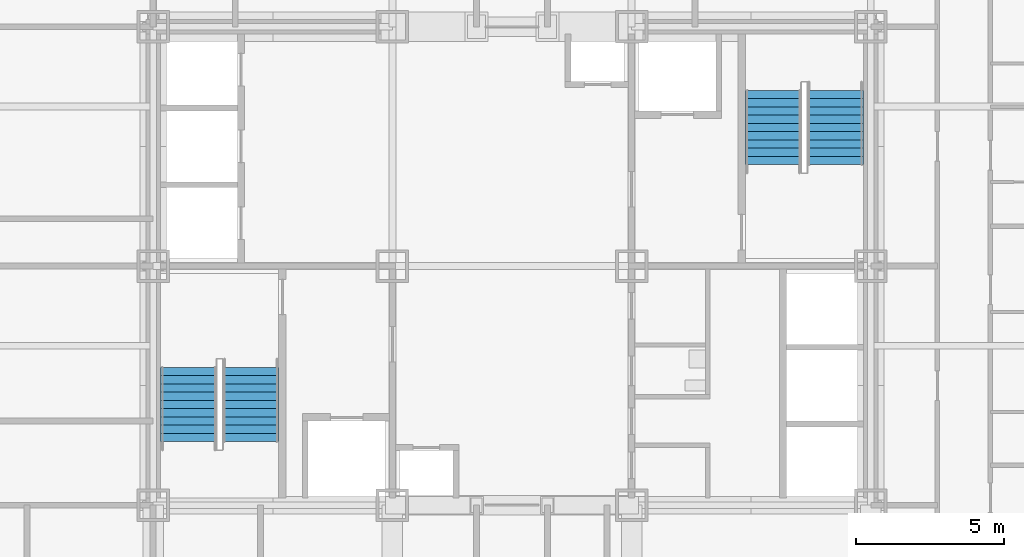
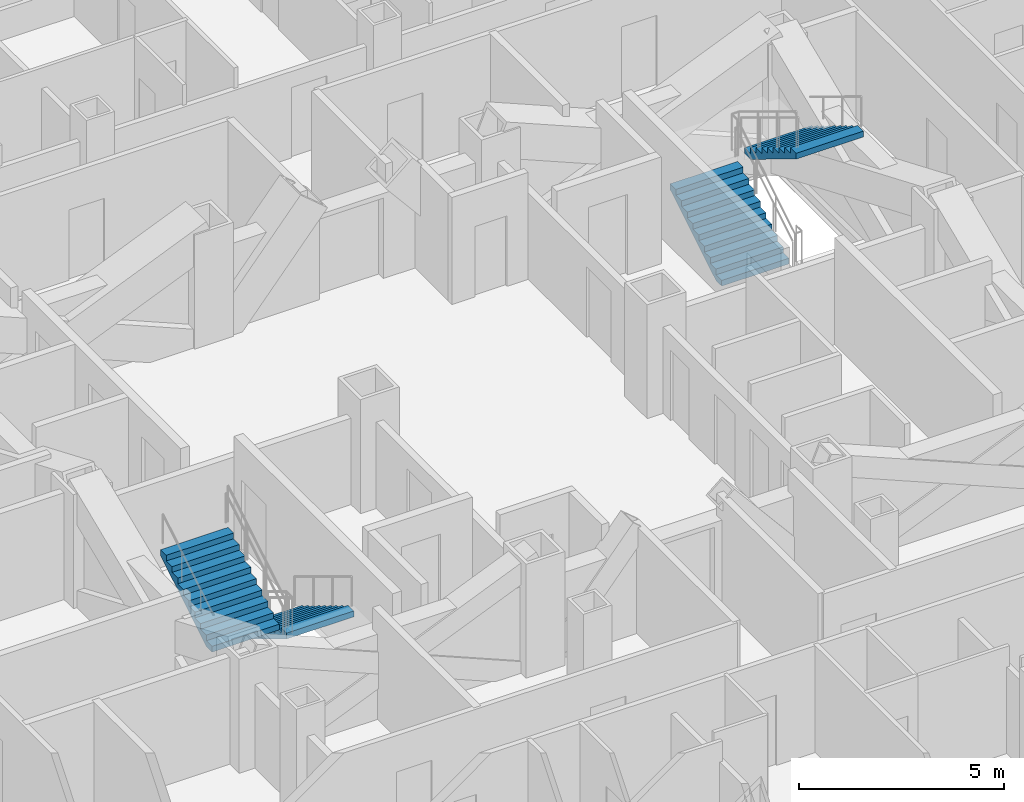
# One storey, part 13 of 15: 4 stair flights, 2 elements without a shape of their own.
"""IFC4 building model written with IfcOpenShell, lengths in metres."""

from ifc_helpers import new_model, si_unit, direction, frame, origin, place, context, subcontext, project, spatial, polygons, source, transform, mapped, material, type_object, element, aggregate, save


model = new_model("IFC4")

# Units and contexts
model_context = context("Model", 3, precision=1e-05, world=origin(), true_north=direction((0.0, 1.0)))
body_context = subcontext(model_context, "Body", "Model", "MODEL_VIEW")
ifc_project = project(units=[si_unit("LENGTHUNIT", "METRE"), si_unit("AREAUNIT", "SQUARE_METRE"), si_unit("VOLUMEUNIT", "CUBIC_METRE"), si_unit("PLANEANGLEUNIT", "RADIAN"), si_unit("MASSUNIT", "GRAM", prefix="KILO")], contexts=[model_context])

# Site, building, storey
site_placement = place(None, origin())
site = spatial("IfcSite", under=ifc_project, at=site_placement, CompositionType="ELEMENT")
building_placement = place(site_placement, origin())
building = spatial("IfcBuilding", under=site, at=building_placement, Name="Kopane Lantern Tower", CompositionType="ELEMENT")
storey_placement = place(building_placement, frame((0.0, 0.0, 140.800048828125)))
storey = spatial("IfcBuildingStorey", under=building, at=storey_placement, Name="L36", CompositionType="ELEMENT", Elevation=140.800048828125)

# Stair, stair flights
ifc_material_1 = material(Name="Steel S355JR", Category="steel")
stair_type = type_object("IfcStairType", Name="EXIT STAIR 1900 HALF TURN", PredefinedType="HALF_TURN_STAIR", material=ifc_material_1)
stair_1_placement = place(storey_placement, origin())
stair_1 = element("IfcStair", 1, at=stair_1_placement, inside=storey, type_object=stair_type, Name="Exit stair ST1 L36", PredefinedType="HALF_TURN_STAIR")
ifc_material_2 = material(Name="Steel S355JR", Category="steel")
stair_flight_type = type_object("IfcStairFlightType", Name="STAIR FLIGHT 1900 STEEL", PredefinedType="STRAIGHT", material=ifc_material_2)
shared_shape = source(origin(), body_context, "Body", "Tessellation", [
    polygons([(2.520019531, 0.949951172, 1.530029297), (2.239990234, 0.949951172, 1.530029297), (2.239990234, -0.949951172, 1.530029297), (2.520019531, -0.949951172, 1.530029297), (0.288818359, 0.949951172, 0.0), (2.520019531, 0.949951172, 1.354736328), (2.520019531, -0.949951172, 1.354736328), (0.288818359, -0.949951172, 0.0), (0.0, 0.949951172, 0.0), (0.0, -0.949951172, 0.0), (0.280029297, 0.949951172, 0.169921875), (0.0, 0.949951172, 0.169921875), (0.0, -0.949951172, 0.169921875), (0.280029297, -0.949951172, 0.169921875), (0.280029297, 0.949951172, 0.340087891), (0.280029297, -0.949951172, 0.340087891), (0.560058594, 0.949951172, 0.340087891), (0.560058594, -0.949951172, 0.340087891), (0.560058594, 0.949951172, 0.510009766), (0.560058594, -0.949951172, 0.510009766), (0.840087891, 0.949951172, 0.510009766), (0.840087891, -0.949951172, 0.510009766), (0.840087891, 0.949951172, 0.679931641), (0.840087891, -0.949951172, 0.679931641), (1.120117188, 0.949951172, 0.679931641), (1.120117188, -0.949951172, 0.679931641), (1.120117188, 0.949951172, 0.850097656), (1.120117188, -0.949951172, 0.850097656), (1.399902344, 0.949951172, 0.850097656), (1.399902344, -0.949951172, 0.850097656), (1.399902344, 0.949951172, 1.020019531), (1.399902344, -0.949951172, 1.020019531), (1.679931641, 0.949951172, 1.020019531), (1.679931641, -0.949951172, 1.020019531), (1.679931641, 0.949951172, 1.189941406), (1.679931641, -0.949951172, 1.189941406), (1.959960938, 0.949951172, 1.189941406), (1.959960938, -0.949951172, 1.189941406), (1.959960938, 0.949951172, 1.360107422), (1.959960938, -0.949951172, 1.360107422), (2.239990234, 0.949951172, 1.360107422), (2.239990234, -0.949951172, 1.360107422), (0.0, 0.0, 0.004592483), (0.0, 0.0, 0.009184966), (0.0, 0.0, 0.013777449), (0.0, 0.0, 0.018369932), (0.0, 0.0, 0.022962416), (0.0, 0.0, 0.027554899), (0.0, 0.0, 0.032147382), (0.0, 0.0, 0.036739865), (0.0, 0.0, 0.041332348), (0.0, 0.0, 0.045924831), (0.0, 0.0, 0.050517314), (0.0, 0.0, 0.055109797), (0.0, 0.0, 0.05970228), (0.0, 0.0, 0.064294764), (0.0, 0.0, 0.068887247), (0.0, 0.0, 0.07347973), (0.0, 0.0, 0.078072213), (0.0, 0.0, 0.082664696), (0.0, 0.0, 0.087257179), (0.0, 0.0, 0.091849662), (0.0, 0.0, 0.096442145), (0.0, 0.0, 0.101034628), (0.0, 0.0, 0.105627111), (0.0, 0.0, 0.110219595), (0.0, 0.0, 0.114812078), (0.0, 0.0, 0.119404561), (0.0, 0.0, 0.123997044), (0.0, 0.0, 0.128589527), (0.0, 0.0, 0.13318201), (0.0, 0.0, 0.137774493), (0.0, 0.0, 0.142366976), (0.0, 0.0, 0.146959459), (0.0, 0.0, 0.151551943), (0.0, 0.0, 0.156144426), (0.0, 0.0, 0.160736909), (0.0, 0.0, 0.165329392), (2.520019531, 0.0, 1.359473976), (2.520019531, 0.0, 1.364211624), (2.520019531, 0.0, 1.368949272), (2.520019531, 0.0, 1.373686919), (2.520019531, 0.0, 1.378424567), (2.520019531, 0.0, 1.383162215), (2.520019531, 0.0, 1.387899863), (2.520019531, 0.0, 1.392637511), (2.520019531, 0.0, 1.397375158), (2.520019531, 0.0, 1.402112806), (2.520019531, 0.0, 1.406850454), (2.520019531, 0.0, 1.411588102), (2.520019531, 0.0, 1.41632575), (2.520019531, 0.0, 1.421063397), (2.520019531, 0.0, 1.425801045), (2.520019531, 0.0, 1.430538693), (2.520019531, 0.0, 1.435276341), (2.520019531, 0.0, 1.440013989), (2.520019531, 0.0, 1.444751636), (2.520019531, 0.0, 1.449489284), (2.520019531, 0.0, 1.454226932), (2.520019531, 0.0, 1.45896458), (2.520019531, 0.0, 1.463702228), (2.520019531, 0.0, 1.468439875), (2.520019531, 0.0, 1.473177523), (2.520019531, 0.0, 1.477915171), (2.520019531, 0.0, 1.482652819), (2.520019531, 0.0, 1.487390467), (2.520019531, 0.0, 1.492128114), (2.520019531, 0.0, 1.496865762), (2.520019531, 0.0, 1.50160341), (2.520019531, 0.0, 1.506341058), (2.520019531, 0.0, 1.511078706), (2.520019531, 0.0, 1.515816353), (2.520019531, 0.0, 1.520554001), (2.520019531, 0.0, 1.525291649)], [[[1, 2, 3]], [[1, 3, 4]], [[5, 6, 7]], [[5, 7, 8]], [[9, 5, 8]], [[9, 8, 10]], [[11, 12, 13]], [[11, 13, 14]], [[15, 11, 14]], [[15, 14, 16]], [[17, 15, 16]], [[17, 16, 18]], [[19, 17, 18]], [[19, 18, 20]], [[21, 19, 20]], [[21, 20, 22]], [[23, 21, 22]], [[23, 22, 24]], [[25, 23, 24]], [[25, 24, 26]], [[27, 25, 26]], [[27, 26, 28]], [[29, 27, 28]], [[29, 28, 30]], [[31, 29, 30]], [[31, 30, 32]], [[33, 31, 32]], [[33, 32, 34]], [[35, 33, 34]], [[35, 34, 36]], [[37, 35, 36]], [[37, 36, 38]], [[39, 37, 38]], [[39, 38, 40]], [[41, 39, 40]], [[41, 40, 42]], [[2, 41, 42]], [[2, 42, 3]], [[41, 1, 6]], [[37, 41, 6]], [[2, 1, 41]], [[33, 37, 6]], [[39, 41, 37]], [[35, 37, 33]], [[31, 33, 29]], [[5, 21, 25]], [[27, 29, 25]], [[17, 21, 5]], [[23, 25, 21]], [[11, 17, 5]], [[19, 21, 17]], [[9, 11, 5]], [[15, 17, 11]], [[12, 11, 9]], [[6, 5, 25]], [[6, 25, 29]], [[6, 29, 33]], [[7, 4, 42]], [[7, 42, 38]], [[42, 4, 3]], [[7, 38, 34]], [[38, 42, 40]], [[34, 38, 36]], [[30, 34, 32]], [[26, 22, 8]], [[26, 30, 28]], [[8, 22, 18]], [[22, 26, 24]], [[8, 18, 14]], [[18, 22, 20]], [[8, 14, 10]], [[14, 18, 16]], [[10, 14, 13]], [[26, 8, 7]], [[30, 26, 7]], [[34, 30, 7]], [[10, 43, 9]], [[10, 44, 43]], [[9, 43, 44]], [[10, 45, 44]], [[9, 44, 45]], [[10, 46, 45]], [[9, 45, 46]], [[10, 47, 46]], [[9, 46, 47]], [[10, 48, 47]], [[9, 47, 48]], [[10, 49, 48]], [[9, 48, 49]], [[10, 50, 49]], [[9, 49, 50]], [[10, 51, 50]], [[9, 50, 51]], [[10, 52, 51]], [[9, 51, 52]], [[10, 53, 52]], [[9, 52, 53]], [[10, 54, 53]], [[9, 53, 54]], [[10, 55, 54]], [[9, 54, 55]], [[10, 56, 55]], [[9, 55, 56]], [[10, 57, 56]], [[9, 56, 57]], [[10, 58, 57]], [[9, 57, 58]], [[10, 59, 58]], [[9, 58, 59]], [[10, 60, 59]], [[9, 59, 60]], [[10, 61, 60]], [[9, 60, 61]], [[10, 62, 61]], [[9, 61, 62]], [[10, 63, 62]], [[9, 62, 63]], [[10, 64, 63]], [[9, 63, 64]], [[10, 65, 64]], [[9, 64, 65]], [[10, 66, 65]], [[9, 65, 66]], [[10, 67, 66]], [[9, 66, 67]], [[10, 68, 67]], [[9, 67, 68]], [[10, 69, 68]], [[9, 68, 69]], [[10, 70, 69]], [[9, 69, 70]], [[10, 71, 70]], [[9, 70, 71]], [[10, 72, 71]], [[9, 71, 72]], [[10, 73, 72]], [[9, 72, 73]], [[10, 74, 73]], [[9, 73, 74]], [[10, 75, 74]], [[9, 74, 75]], [[10, 76, 75]], [[9, 75, 76]], [[10, 77, 76]], [[9, 76, 77]], [[10, 78, 77]], [[9, 77, 78]], [[10, 13, 78]], [[78, 13, 12]], [[9, 78, 12]], [[7, 6, 79]], [[7, 79, 80]], [[6, 80, 79]], [[7, 80, 81]], [[6, 81, 80]], [[7, 81, 82]], [[6, 82, 81]], [[7, 82, 83]], [[6, 83, 82]], [[7, 83, 84]], [[6, 84, 83]], [[7, 84, 85]], [[6, 85, 84]], [[7, 85, 86]], [[6, 86, 85]], [[7, 86, 87]], [[6, 87, 86]], [[7, 87, 88]], [[6, 88, 87]], [[7, 88, 89]], [[6, 89, 88]], [[7, 89, 90]], [[6, 90, 89]], [[7, 90, 91]], [[6, 91, 90]], [[7, 91, 92]], [[6, 92, 91]], [[7, 92, 93]], [[6, 93, 92]], [[7, 93, 94]], [[6, 94, 93]], [[7, 94, 95]], [[6, 95, 94]], [[7, 95, 96]], [[6, 96, 95]], [[7, 96, 97]], [[6, 97, 96]], [[7, 97, 98]], [[6, 98, 97]], [[7, 98, 99]], [[6, 99, 98]], [[7, 99, 100]], [[6, 100, 99]], [[7, 100, 101]], [[6, 101, 100]], [[7, 101, 102]], [[6, 102, 101]], [[7, 102, 103]], [[6, 103, 102]], [[7, 103, 104]], [[6, 104, 103]], [[7, 104, 105]], [[6, 105, 104]], [[7, 105, 106]], [[6, 106, 105]], [[7, 106, 107]], [[6, 107, 106]], [[7, 107, 108]], [[6, 108, 107]], [[7, 108, 109]], [[6, 109, 108]], [[7, 109, 110]], [[6, 110, 109]], [[7, 110, 111]], [[6, 111, 110]], [[7, 111, 112]], [[6, 112, 111]], [[7, 112, 113]], [[6, 113, 112]], [[7, 113, 114]], [[6, 114, 113]], [[7, 114, 4]], [[114, 1, 4]], [[6, 1, 114]]], closed=True),
])
stair_flight_1_placement = place(storey_placement, frame((19.5, 28.969970703125, 0.0), z_axis=(0.0, 0.0, 1.0), x_axis=(0.0, -1.0, 0.0)))
stair_flight_1 = element("IfcStairFlight", 2, at=stair_flight_1_placement, type_object=stair_flight_type, Name="ST1 flight 1", NumberOfRisers=10, NumberOfTreads=9, PredefinedType="STRAIGHT", RiserHeight=0.17, TreadLength=0.28, context=body_context, shape_type="MappedRepresentation", body=[
    mapped(shared_shape, transform((0.0, 0.0, 0.0))),
])
stair_flight_2_placement = place(storey_placement, frame((17.39990234375, 26.449951171875, 1.699951171875), z_axis=(0.0, 0.0, 1.0), x_axis=(0.0, 1.0, 0.0)))
stair_flight_2 = element("IfcStairFlight", 3, at=stair_flight_2_placement, type_object=stair_flight_type, Name="ST1 flight 2", NumberOfRisers=10, NumberOfTreads=9, PredefinedType="STRAIGHT", RiserHeight=0.17, TreadLength=0.28, context=body_context, shape_type="MappedRepresentation", body=[
    mapped(shared_shape, transform((0.0, 0.0, 0.0))),
])
aggregate(stair_1, [stair_flight_1, stair_flight_2])

stair_2_placement = place(storey_placement, origin())
stair_2 = element("IfcStair", 4, at=stair_2_placement, inside=storey, type_object=stair_type, Name="Exit stair ST2 L36", PredefinedType="HALF_TURN_STAIR")
stair_flight_3_placement = place(storey_placement, frame((37.199951171875, 35.830078125, 0.0), z_axis=(0.0, 0.0, 1.0), x_axis=(0.0, 1.0, 0.0)))
stair_flight_3 = element("IfcStairFlight", 5, at=stair_flight_3_placement, type_object=stair_flight_type, Name="ST2 flight 1", NumberOfRisers=10, NumberOfTreads=9, PredefinedType="STRAIGHT", RiserHeight=0.17, TreadLength=0.28, context=body_context, shape_type="MappedRepresentation", body=[
    mapped(shared_shape, transform((0.0, 0.0, 0.0))),
])
stair_flight_4_placement = place(storey_placement, frame((39.300048828125, 38.35009765625, 1.699951171875), z_axis=(0.0, 0.0, 1.0), x_axis=(0.0, -1.0, 0.0)))
stair_flight_4 = element("IfcStairFlight", 6, at=stair_flight_4_placement, type_object=stair_flight_type, Name="ST2 flight 2", NumberOfRisers=10, NumberOfTreads=9, PredefinedType="STRAIGHT", RiserHeight=0.17, TreadLength=0.28, context=body_context, shape_type="MappedRepresentation", body=[
    mapped(shared_shape, transform((0.0, 0.0, 0.0))),
])
aggregate(stair_2, [stair_flight_3, stair_flight_4])

save(model, "model.ifc")
